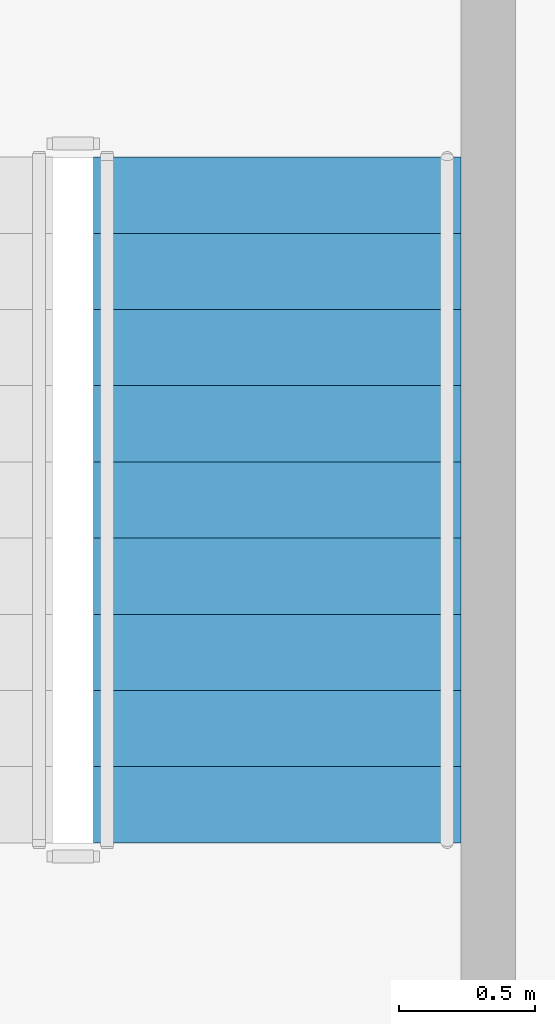
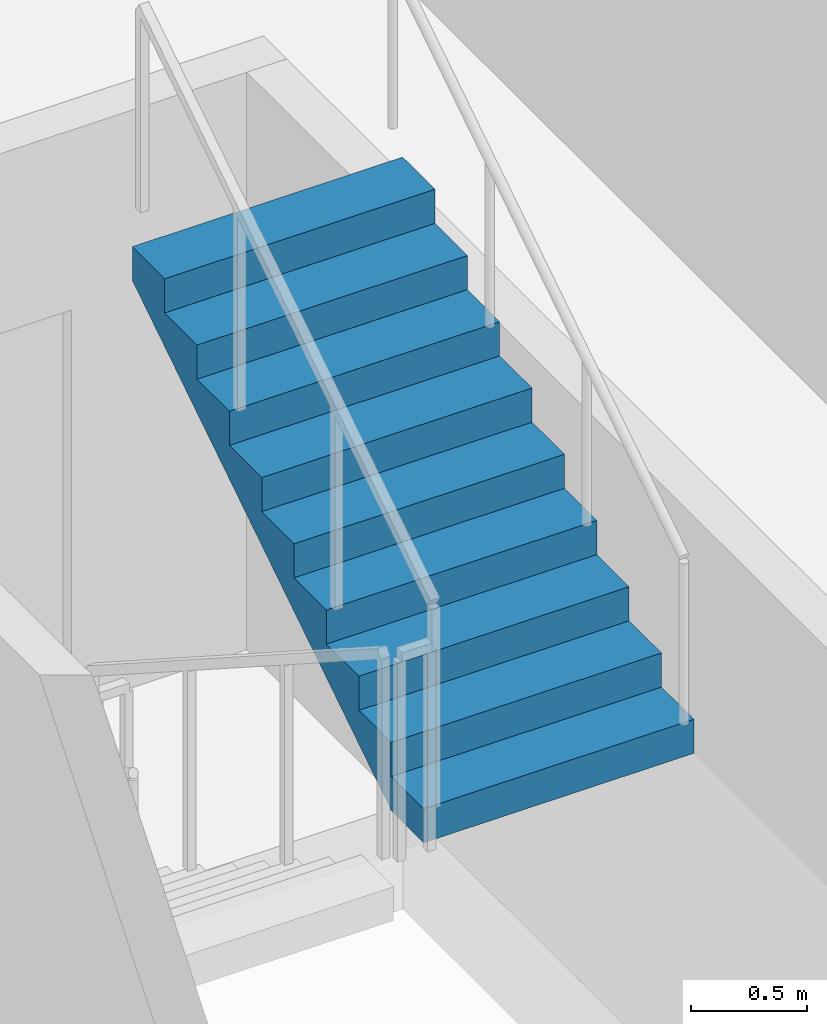
# One storey, part 13 of 17: 1 stair flight, 1 element without a shape of its own.
"""IFC4 building model written with IfcOpenShell, lengths in metres."""

import ifcopenshell
import ifcopenshell.guid

model = None  # the IFC model being written
_history = None  # IfcOwnerHistory: only IFC2X3 demands one
_inside = {}  # id of a spatial element -> (the spatial element, [elements in it])
_under = {}  # id of a project, library or spatial element -> (it, [spatial elements below it])
_declared = {}  # id of a project -> (the project, [libraries it declares])
_typed = {}  # id of a type object -> (the type object, [elements of that type])
_made_of = {}  # id of a material, layer set ... -> (it, [elements and type objects made of it])


def new_model(schema):
    """Start an empty IFC model of exactly this schema.

    Asked for "IFC4X3", IfcOpenShell would pick the latest addendum, in which some entities
    have other attributes; the version numbers below select the first issue.
    IFC2X3 requires an IfcOwnerHistory on every rooted entity: one is made here for all.
    """
    global model, _history
    if schema == "IFC4X3":
        model = ifcopenshell.file(schema_version=(4, 3, 0, 0))
    else:
        model = ifcopenshell.file(schema=schema)
    _inside.clear()
    _under.clear()
    _declared.clear()
    _typed.clear()
    _made_of.clear()
    _history = None
    if model.schema == "IFC2X3":
        org = make("IfcOrganization", Name="unknown")
        user = make(
            "IfcPersonAndOrganization",
            ThePerson=make("IfcPerson", FamilyName="unknown"),
            TheOrganization=org,
        )
        app = make(
            "IfcApplication",
            ApplicationDeveloper=org,
            Version="unknown",
            ApplicationFullName="unknown",
            ApplicationIdentifier="unknown",
        )
        _history = make(
            "IfcOwnerHistory",
            OwningUser=user,
            OwningApplication=app,
            ChangeAction="ADDED",
            CreationDate=0,
        )
    return model


def make(cls, **values):
    """One entity of the class cls with the attributes given. An attribute that is None is left unset."""
    return model.create_entity(
        cls, **{name: value for name, value in values.items() if value is not None}
    )


def rooted(cls, **values):
    """An entity with a GlobalId (a new one), such as an element, a storey or a relation."""
    return make(cls, GlobalId=ifcopenshell.guid.new(), OwnerHistory=_history, **values)


def si_unit(unit_type, name, prefix=None):
    """IfcSIUnit, for example si_unit("LENGTHUNIT", "METRE", prefix="MILLI")."""
    return make("IfcSIUnit", UnitType=unit_type, Prefix=prefix, Name=name)


def assignment(units):
    """IfcUnitAssignment: the units of a project."""
    return None if units is None else make("IfcUnitAssignment", Units=units)


def point(xyz):
    """IfcCartesianPoint."""
    return None if xyz is None else make("IfcCartesianPoint", Coordinates=xyz)


def direction(xyz):
    """IfcDirection."""
    return None if xyz is None else make("IfcDirection", DirectionRatios=xyz)


def frame(location, z_axis=None, x_axis=None):
    """IfcAxis2Placement3D, a coordinate frame: its origin and axes. An axis left out is left unset."""
    return make(
        "IfcAxis2Placement3D",
        Location=point(location),
        Axis=direction(z_axis),
        RefDirection=direction(x_axis),
    )


def origin():
    """The frame at (0, 0, 0) with its axes left unset."""
    return frame((0.0, 0.0, 0.0))


def place(relative_to, where):
    """IfcLocalPlacement: puts the frame where relative to a parent placement (None: the world)."""
    return make(
        "IfcLocalPlacement", PlacementRelTo=relative_to, RelativePlacement=where
    )


def context(
    kind, dimensions, precision=None, world=None, true_north=None, identifier=None
):
    """IfcGeometricRepresentationContext, for example the 3D "Model" context."""
    return make(
        "IfcGeometricRepresentationContext",
        ContextIdentifier=identifier,
        ContextType=kind,
        CoordinateSpaceDimension=dimensions,
        Precision=precision,
        WorldCoordinateSystem=world,
        TrueNorth=true_north,
    )


def subcontext(parent, identifier, kind, view, scale=None):
    """IfcGeometricRepresentationSubContext, for example "Body" below "Model"."""
    return make(
        "IfcGeometricRepresentationSubContext",
        ContextIdentifier=identifier,
        ContextType=kind,
        ParentContext=parent,
        TargetScale=scale,
        TargetView=view,
    )


def project(units=None, contexts=None):
    """IfcProject with its units and contexts."""
    return rooted(
        "IfcProject",
        Name="project",
        RepresentationContexts=contexts,
        UnitsInContext=assignment(units),
    )


def spatial(cls, under=None, at=None, **own):
    """A site, building, storey or space (cls), placed at a placement, below another one or the project."""
    s = rooted(cls, ObjectPlacement=at, **own)
    if under is not None:
        _under.setdefault(under.id(), (under, []))[1].append(s)
    return s


def polyline(points):
    """IfcPolyline through the points."""
    return make("IfcPolyline", Points=[point(p) for p in points])


def outline(outer, holes=None, kind="AREA"):
    """IfcArbitraryClosedProfileDef: a profile drawn as a closed curve; with holes, ...WithVoids."""
    if holes is None:
        return make("IfcArbitraryClosedProfileDef", ProfileType=kind, OuterCurve=outer)
    return make(
        "IfcArbitraryProfileDefWithVoids",
        ProfileType=kind,
        OuterCurve=outer,
        InnerCurves=holes,
    )


def extrude(swept, where, along, depth):
    """IfcExtrudedAreaSolid: the profile swept, set in the frame where, extruded along a direction by depth."""
    return make(
        "IfcExtrudedAreaSolid",
        SweptArea=swept,
        Position=where,
        ExtrudedDirection=direction(along),
        Depth=depth,
    )


def shape(context_of_items, identifier, shape_type, items):
    """IfcShapeRepresentation: the items that make up one representation, for example the "Body"."""
    return make(
        "IfcShapeRepresentation",
        ContextOfItems=context_of_items,
        RepresentationIdentifier=identifier,
        RepresentationType=shape_type,
        Items=items,
    )


def material(Name=None, Category=None):
    """IfcMaterial."""
    return make("IfcMaterial", Name=Name, Category=Category)


def made_of(thing, what):
    """Note that an element or type object is made of a material, layer set ...; save() writes the relation."""
    if what is not None:
        _made_of.setdefault(what.id(), (what, []))[1].append(thing)
    return thing


def type_object(cls, material=None, **own):
    """A type object (cls), such as IfcWallType, which elements share."""
    return made_of(rooted(cls, **own), material)


def element(
    cls,
    number,
    at=None,
    inside=None,
    cuts=None,
    type_object=None,
    material=None,
    context=None,
    identifier="Body",
    shape_type=None,
    held_by="IfcProductDefinitionShape",
    body=None,
    shapes=None,
    **own,
):
    """One element of the class cls, such as IfcWall. Its Tag is "e" and its number.

    at: its placement. inside: the storey or other place that contains it. cuts: it is an
    opening in that element (IfcRelVoidsElement). A single representation is given by context,
    identifier, shape_type and body (its items); several are given by shapes. held_by: the class
    of the entity that holds the representations. save() writes the other relations.
    """
    e = rooted(cls, Tag="e%d" % number, ObjectPlacement=at, **own)
    if body is not None:
        shapes = [shape(context, identifier, shape_type, body)]
    if shapes is not None:
        e.Representation = make(held_by, Representations=shapes)
    if inside is not None:
        _inside.setdefault(inside.id(), (inside, []))[1].append(e)
    if cuts is not None:
        rooted(
            "IfcRelVoidsElement", RelatingBuildingElement=cuts, RelatedOpeningElement=e
        )
    if type_object is not None:
        _typed.setdefault(type_object.id(), (type_object, []))[1].append(e)
    return made_of(e, material)


def aggregate(whole, parts):
    """IfcRelAggregates: a whole, such as a stair, and the parts it consists of."""
    return rooted("IfcRelAggregates", RelatingObject=whole, RelatedObjects=parts)


def save(model, path):
    """Write the relations noted so far, then the file.

    IfcRelAggregates (storeys below a building ...), IfcRelContainedInSpatialStructure (elements
    in a storey), IfcRelDefinesByType, IfcRelAssociatesMaterial and IfcRelDeclares: one each for
    every whole, place, type object, material and project.
    """
    for whole, parts in _under.values():
        aggregate(whole, parts)
    for where, things in _inside.values():
        rooted(
            "IfcRelContainedInSpatialStructure",
            RelatedElements=things,
            RelatingStructure=where,
        )
    for kind, things in _typed.values():
        rooted("IfcRelDefinesByType", RelatedObjects=things, RelatingType=kind)
    for what, things in _made_of.values():
        rooted("IfcRelAssociatesMaterial", RelatedObjects=things, RelatingMaterial=what)
    for by, libraries in _declared.values():
        rooted("IfcRelDeclares", RelatingContext=by, RelatedDefinitions=libraries)
    model.write(path)


model = new_model("IFC4")

# Units and contexts
model_context = context("Model", 3, precision=1e-05, world=origin(), true_north=direction((0.0, 1.0)))
body_context = subcontext(model_context, "Body", "Model", "MODEL_VIEW")
ifc_project = project(units=[si_unit("LENGTHUNIT", "METRE"), si_unit("AREAUNIT", "SQUARE_METRE"), si_unit("VOLUMEUNIT", "CUBIC_METRE"), si_unit("PLANEANGLEUNIT", "RADIAN"), si_unit("MASSUNIT", "GRAM", prefix="KILO")], contexts=[model_context])

# Site, building, storey
site_placement = place(None, origin())
site = spatial("IfcSite", under=ifc_project, at=site_placement, CompositionType="ELEMENT")
building_placement = place(site_placement, origin())
building = spatial("IfcBuilding", under=site, at=building_placement, Name="Mangrove Gate Tower", CompositionType="ELEMENT")
storey_placement = place(building_placement, frame((0.0, 0.0, 249.10009765625)))
storey = spatial("IfcBuildingStorey", under=building, at=storey_placement, Name="L63", CompositionType="ELEMENT", Elevation=249.10009765625)

# Stair, stair flight
ifc_material_1 = material(Name="Concrete C40/50", Category="concrete")
stair_type = type_object("IfcStairType", Name="Core stair 1350", PredefinedType="HALF_TURN_STAIR", material=ifc_material_1)
stair_placement = place(storey_placement, origin())
stair = element("IfcStair", 1, at=stair_placement, inside=storey, type_object=stair_type, Name="L63 Stair 3", PredefinedType="HALF_TURN_STAIR")
ifc_material_2 = material(Name="Concrete C40/50", Category="concrete")
stair_flight_type = type_object("IfcStairFlightType", Name="Core stair flight 1350", PredefinedType="STRAIGHT", material=ifc_material_2)
stair_flight_placement = place(storey_placement, frame((10.02490234375, -7.169921875, 1.7998046875), z_axis=(0.0, 0.0, 1.0), x_axis=(0.0, 1.0, 0.0)))
stair_flight = element("IfcStairFlight", 2, at=stair_flight_placement, type_object=stair_flight_type, Name="ST3 flight 2", NumberOfRisers=10, NumberOfTreads=9, PredefinedType="STRAIGHT", RiserHeight=0.18, TreadLength=0.28, context=body_context, shape_type="SweptSolid", body=[
    extrude(outline(polyline([(0.0, 0.0), (0.0, 0.179931640625), (0.280029296875, 0.179931640625), (0.280029296875, 0.360107421875), (0.56005859375, 0.360107421875), (0.56005859375, 0.5400390625), (0.840087890625, 0.5400390625), (0.840087890625, 0.719970703125), (1.1201171875, 0.719970703125), (1.1201171875, 0.89990234375), (1.39990234375, 0.89990234375), (1.39990234375, 1.080078125), (1.679931640625, 1.080078125), (1.679931640625, 1.260009765625), (1.9599609375, 1.260009765625), (1.9599609375, 1.43994140625), (2.239990234375, 1.43994140625), (2.239990234375, 1.6201171875), (2.52001953125, 1.6201171875), (2.52001953125, 1.800048828125), (2.52001953125, 1.44189453125), (0.277099609375, 0.0), (0.0, 0.0)])), frame((0.0, 0.675048828125, 0.0), z_axis=(0.0, -1.0, 0.0), x_axis=(1.0, 0.0, 0.0)), (0.0, 0.0, 1.0), 1.35009765625),
])
aggregate(stair, [stair_flight])

save(model, "model.ifc")
